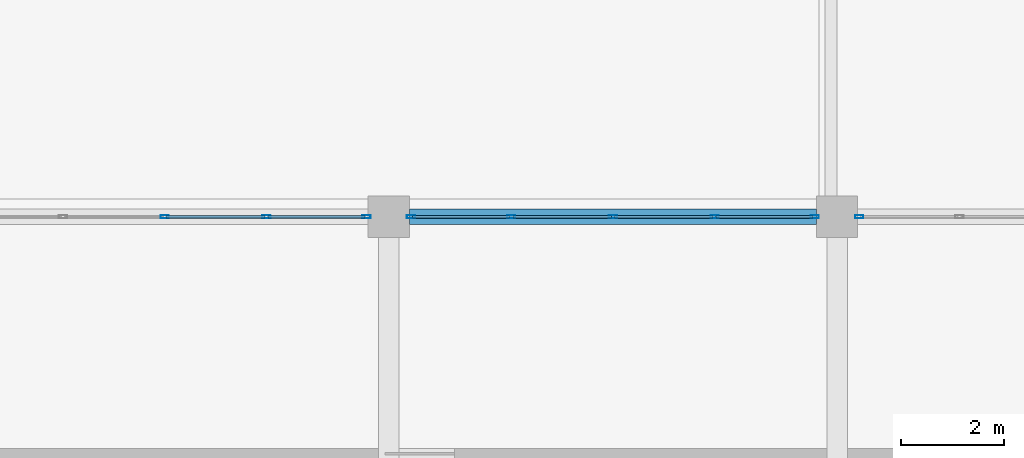
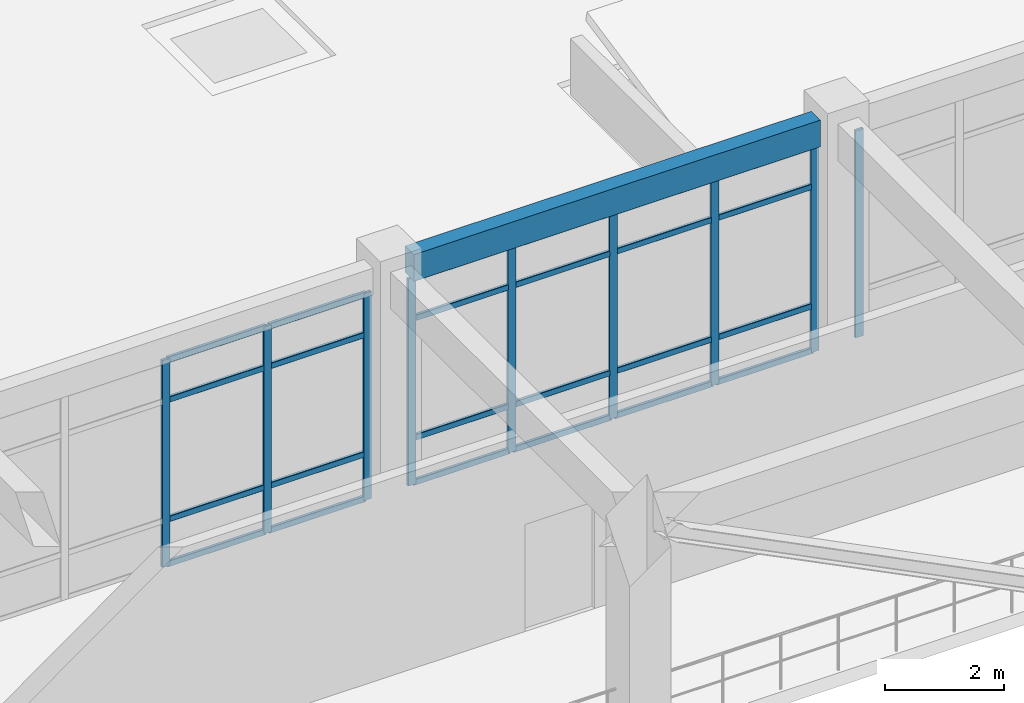
# One storey, part 51 of 124: 33 members, 1 beam, 3 elements without a shape of their own.
"""IFC4 building model written with IfcOpenShell, lengths in metres."""

from ifc_helpers import new_model, si_unit, derived_unit, direction, frame, origin, origin_2d, place, context, subcontext, project, spatial, rectangle, hollow_rectangle, extrude, material, layer, layer_set, material_profile, profile_set, type_object, element, aggregate, save


model = new_model("IFC4")

# Units and contexts
model_context = context("Model", 3, precision=1e-05, world=origin(), true_north=direction((0.0, 1.0)))
body_context = subcontext(model_context, "Body", "Model", "MODEL_VIEW")
ifc_project = project(units=[si_unit("LENGTHUNIT", "METRE"), si_unit("AREAUNIT", "SQUARE_METRE"), si_unit("VOLUMEUNIT", "CUBIC_METRE"), si_unit("PLANEANGLEUNIT", "RADIAN"), si_unit("MASSUNIT", "GRAM", prefix="KILO"), derived_unit("THERMALTRANSMITTANCEUNIT", [(si_unit("MASSUNIT", "GRAM", prefix="KILO"), 1), (si_unit("TIMEUNIT", "SECOND"), -3), (si_unit("THERMODYNAMICTEMPERATUREUNIT", "KELVIN"), -1)])], contexts=[model_context])

# Site, building, storey
site_placement = place(None, origin())
site = spatial("IfcSite", under=ifc_project, at=site_placement, CompositionType="ELEMENT")
building_placement = place(site_placement, origin())
building = spatial("IfcBuilding", under=site, at=building_placement, Name="Qinzheling Arcade Emporium", CompositionType="ELEMENT")
storey_placement = place(building_placement, frame((0.0, 0.0, 16.5)))
storey = spatial("IfcBuildingStorey", under=building, at=storey_placement, Name="L04", CompositionType="ELEMENT", Elevation=16.5)

# Curtain wall, members
ifc_material_1 = material(Name="Anodised aluminium and solar-control double glazing", Category="aluminium")
ifc_layer = layer(ifc_material_1, 0.159912109375, Name="Anodised aluminium and solar-control double glazing", Category="aluminium")
ifc_layer_set = layer_set([ifc_layer], Name="Anodised aluminium and solar-control double glazing")
curtain_wall_type = type_object("IfcCurtainWallType", Name="Atrium Clerestory Curtain Wall", PredefinedType="NOTDEFINED", material=ifc_layer_set)
curtain_wall_1_placement = place(storey_placement, origin())
curtain_wall_1 = element("IfcCurtainWall", 1, at=curtain_wall_1_placement, inside=storey, type_object=curtain_wall_type, Name="Curtain Wall CW-L04-245", PredefinedType="NOTDEFINED")
ifc_material_2 = material(Name="Anodised aluminium 6063-T6", Category="aluminium")
ifc_material_profile_1 = material_profile(ifc_material_2, hollow_rectangle(XDim=0.06005859375, YDim=0.159912109375, WallThickness=0.00390625, InnerFilletRadius=0.00390625, OuterFilletRadius=0.008056640625, at=origin_2d()), Name="RHS 160x60x4", Category="aluminium")
ifc_profile_set_1 = profile_set([ifc_material_profile_1], Name="Anodised aluminium 6063-T6")
member_type_1 = type_object("IfcMemberType", Name="Curtain Wall Mullion RHS160x60", PredefinedType="MULLION", material=ifc_profile_set_1)
member_1_placement = place(storey_placement, frame((65.25, 73.800048828125, 0.0), z_axis=(0.0, 0.0, 1.0), x_axis=(0.0, 1.0, 0.0)))
member_1 = element("IfcMember", 2, at=member_1_placement, type_object=member_type_1, Name="CW03 mullion 3", PredefinedType="MULLION", context=body_context, shape_type="SweptSolid", body=[
    extrude(hollow_rectangle(XDim=0.06005859375, YDim=0.159912109375, WallThickness=0.00390625, InnerFilletRadius=0.00390625, OuterFilletRadius=0.008056640625, at=origin_2d()), origin(), (0.0, 0.0, 1.0), 4.2548828125),
])
member_2_placement = place(storey_placement, frame((67.22412109375, 73.800048828125, 0.0), z_axis=(0.0, 0.0, 1.0), x_axis=(0.0, 1.0, 0.0)))
member_2 = element("IfcMember", 3, at=member_2_placement, type_object=member_type_1, Name="CW03 mullion 4", PredefinedType="MULLION", context=body_context, shape_type="SweptSolid", body=[
    extrude(hollow_rectangle(XDim=0.06005859375, YDim=0.159912109375, WallThickness=0.00390625, InnerFilletRadius=0.00390625, OuterFilletRadius=0.008056640625, at=origin_2d()), origin(), (0.0, 0.0, 1.0), 4.2548828125),
])
member_3_placement = place(storey_placement, frame((69.16796875, 73.800048828125, 0.0), z_axis=(0.0, 0.0, 1.0), x_axis=(0.0, 1.0, 0.0)))
member_3 = element("IfcMember", 4, at=member_3_placement, type_object=member_type_1, Name="CW03 mullion 5", PredefinedType="MULLION", context=body_context, shape_type="SweptSolid", body=[
    extrude(hollow_rectangle(XDim=0.06005859375, YDim=0.159912109375, WallThickness=0.00390625, InnerFilletRadius=0.00390625, OuterFilletRadius=0.008056640625, at=origin_2d()), origin(), (0.0, 0.0, 1.0), 4.2548828125),
])

curtain_wall_2_placement = place(storey_placement, origin())
curtain_wall_2 = element("IfcCurtainWall", 5, at=curtain_wall_2_placement, inside=storey, type_object=curtain_wall_type, Name="Curtain Wall CW-L04-246", PredefinedType="NOTDEFINED")
member_4_placement = place(storey_placement, frame((70.031982421875, 73.800048828125, 0.0), z_axis=(0.0, 0.0, 1.0), x_axis=(0.0, 1.0, 0.0)))
member_4 = element("IfcMember", 6, at=member_4_placement, type_object=member_type_1, Name="CW03 mullion 1", PredefinedType="MULLION", context=body_context, shape_type="SweptSolid", body=[
    extrude(hollow_rectangle(XDim=0.06005859375, YDim=0.159912109375, WallThickness=0.00390625, InnerFilletRadius=0.00390625, OuterFilletRadius=0.008056640625, at=origin_2d()), origin(), (0.0, 0.0, 1.0), 4.2548828125),
])
member_5_placement = place(storey_placement, frame((71.97607421875, 73.800048828125, 0.0), z_axis=(0.0, 0.0, 1.0), x_axis=(0.0, 1.0, 0.0)))
member_5 = element("IfcMember", 7, at=member_5_placement, type_object=member_type_1, Name="CW03 mullion 2", PredefinedType="MULLION", context=body_context, shape_type="SweptSolid", body=[
    extrude(hollow_rectangle(XDim=0.06005859375, YDim=0.159912109375, WallThickness=0.00390625, InnerFilletRadius=0.00390625, OuterFilletRadius=0.008056640625, at=origin_2d()), origin(), (0.0, 0.0, 1.0), 4.2548828125),
])
member_6_placement = place(storey_placement, frame((73.949951171875, 73.800048828125, 0.0), z_axis=(0.0, 0.0, 1.0), x_axis=(0.0, 1.0, 0.0)))
member_6 = element("IfcMember", 8, at=member_6_placement, type_object=member_type_1, Name="CW03 mullion 3", PredefinedType="MULLION", context=body_context, shape_type="SweptSolid", body=[
    extrude(hollow_rectangle(XDim=0.06005859375, YDim=0.159912109375, WallThickness=0.00390625, InnerFilletRadius=0.00390625, OuterFilletRadius=0.008056640625, at=origin_2d()), origin(), (0.0, 0.0, 1.0), 4.2548828125),
])
member_7_placement = place(storey_placement, frame((75.924072265625, 73.800048828125, 0.0), z_axis=(0.0, 0.0, 1.0), x_axis=(0.0, 1.0, 0.0)))
member_7 = element("IfcMember", 9, at=member_7_placement, type_object=member_type_1, Name="CW03 mullion 4", PredefinedType="MULLION", context=body_context, shape_type="SweptSolid", body=[
    extrude(hollow_rectangle(XDim=0.06005859375, YDim=0.159912109375, WallThickness=0.00390625, InnerFilletRadius=0.00390625, OuterFilletRadius=0.008056640625, at=origin_2d()), origin(), (0.0, 0.0, 1.0), 4.2548828125),
])
member_8_placement = place(storey_placement, frame((77.867919921875, 73.800048828125, 0.0), z_axis=(0.0, 0.0, 1.0), x_axis=(0.0, 1.0, 0.0)))
member_8 = element("IfcMember", 10, at=member_8_placement, type_object=member_type_1, Name="CW03 mullion 5", PredefinedType="MULLION", context=body_context, shape_type="SweptSolid", body=[
    extrude(hollow_rectangle(XDim=0.06005859375, YDim=0.159912109375, WallThickness=0.00390625, InnerFilletRadius=0.00390625, OuterFilletRadius=0.008056640625, at=origin_2d()), origin(), (0.0, 0.0, 1.0), 4.2548828125),
])

# Curtain wall, member
curtain_wall_3_placement = place(storey_placement, origin())
curtain_wall_3 = element("IfcCurtainWall", 11, at=curtain_wall_3_placement, inside=storey, type_object=curtain_wall_type, Name="Curtain Wall CW-L04-247", PredefinedType="NOTDEFINED")
member_9_placement = place(storey_placement, frame((78.73193359375, 73.800048828125, 0.0), z_axis=(0.0, 0.0, 1.0), x_axis=(0.0, 1.0, 0.0)))
member_9 = element("IfcMember", 12, at=member_9_placement, type_object=member_type_1, Name="CW03 mullion 1", PredefinedType="MULLION", context=body_context, shape_type="SweptSolid", body=[
    extrude(hollow_rectangle(XDim=0.06005859375, YDim=0.159912109375, WallThickness=0.00390625, InnerFilletRadius=0.00390625, OuterFilletRadius=0.008056640625, at=origin_2d()), origin(), (0.0, 0.0, 1.0), 4.2548828125),
])
aggregate(curtain_wall_3, [member_9])

# Member
ifc_material_profile_2 = material_profile(ifc_material_2, hollow_rectangle(XDim=0.06005859375, YDim=0.1201171875, WallThickness=0.00390625, InnerFilletRadius=0.00390625, OuterFilletRadius=0.008056640625, at=origin_2d()), Name="RHS 120x60x4", Category="aluminium")
ifc_profile_set_2 = profile_set([ifc_material_profile_2], Name="Anodised aluminium 6063-T6")
member_type_2 = type_object("IfcMemberType", Name="Curtain Wall Transom RHS120x60", PredefinedType="USERDEFINED", material=ifc_profile_set_2)
member_10_placement = place(storey_placement, frame((65.280029296875, 73.800048828125, 0.030029296875), z_axis=(1.0, 0.0, 0.0), x_axis=(0.0, 1.0, 0.0)))
member_10 = element("IfcMember", 13, at=member_10_placement, type_object=member_type_2, Name="CW03 transom 3.1", ObjectType="TRANSOM", PredefinedType="USERDEFINED", context=body_context, shape_type="SweptSolid", body=[
    extrude(hollow_rectangle(XDim=0.06005859375, YDim=0.1201171875, WallThickness=0.00390625, InnerFilletRadius=0.00390625, OuterFilletRadius=0.008056640625, at=origin_2d()), origin(), (0.0, 0.0, 1.0), 1.9140625),
])

member_11_placement = place(storey_placement, frame((65.280029296875, 73.800048828125, 0.949951171875), z_axis=(1.0, 0.0, 0.0), x_axis=(0.0, 1.0, 0.0)))
member_11 = element("IfcMember", 14, at=member_11_placement, type_object=member_type_2, Name="CW03 transom 3.2", ObjectType="TRANSOM", PredefinedType="USERDEFINED", context=body_context, shape_type="SweptSolid", body=[
    extrude(hollow_rectangle(XDim=0.06005859375, YDim=0.1201171875, WallThickness=0.00390625, InnerFilletRadius=0.00390625, OuterFilletRadius=0.008056640625, at=origin_2d()), origin(), (0.0, 0.0, 1.0), 1.9140625),
])

member_12_placement = place(storey_placement, frame((65.280029296875, 73.800048828125, 3.405029296875), z_axis=(1.0, 0.0, 0.0), x_axis=(0.0, 1.0, 0.0)))
member_12 = element("IfcMember", 15, at=member_12_placement, type_object=member_type_2, Name="CW03 transom 3.3", ObjectType="TRANSOM", PredefinedType="USERDEFINED", context=body_context, shape_type="SweptSolid", body=[
    extrude(hollow_rectangle(XDim=0.06005859375, YDim=0.1201171875, WallThickness=0.00390625, InnerFilletRadius=0.00390625, OuterFilletRadius=0.008056640625, at=origin_2d()), origin(), (0.0, 0.0, 1.0), 1.9140625),
])

member_13_placement = place(storey_placement, frame((65.280029296875, 73.800048828125, 4.22509765625), z_axis=(1.0, 0.0, 0.0), x_axis=(0.0, 1.0, 0.0)))
member_13 = element("IfcMember", 16, at=member_13_placement, type_object=member_type_2, Name="CW03 transom 3.4", ObjectType="TRANSOM", PredefinedType="USERDEFINED", context=body_context, shape_type="SweptSolid", body=[
    extrude(hollow_rectangle(XDim=0.06005859375, YDim=0.1201171875, WallThickness=0.00390625, InnerFilletRadius=0.00390625, OuterFilletRadius=0.008056640625, at=origin_2d()), origin(), (0.0, 0.0, 1.0), 1.9140625),
])

member_14_placement = place(storey_placement, frame((67.25390625, 73.800048828125, 0.030029296875), z_axis=(1.0, 0.0, 0.0), x_axis=(0.0, 1.0, 0.0)))
member_14 = element("IfcMember", 17, at=member_14_placement, type_object=member_type_2, Name="CW03 transom 4.1", ObjectType="TRANSOM", PredefinedType="USERDEFINED", context=body_context, shape_type="SweptSolid", body=[
    extrude(hollow_rectangle(XDim=0.06005859375, YDim=0.1201171875, WallThickness=0.00390625, InnerFilletRadius=0.00390625, OuterFilletRadius=0.008056640625, at=origin_2d()), origin(), (0.0, 0.0, 1.0), 1.884033203125),
])

member_15_placement = place(storey_placement, frame((67.25390625, 73.800048828125, 0.949951171875), z_axis=(1.0, 0.0, 0.0), x_axis=(0.0, 1.0, 0.0)))
member_15 = element("IfcMember", 18, at=member_15_placement, type_object=member_type_2, Name="CW03 transom 4.2", ObjectType="TRANSOM", PredefinedType="USERDEFINED", context=body_context, shape_type="SweptSolid", body=[
    extrude(hollow_rectangle(XDim=0.06005859375, YDim=0.1201171875, WallThickness=0.00390625, InnerFilletRadius=0.00390625, OuterFilletRadius=0.008056640625, at=origin_2d()), origin(), (0.0, 0.0, 1.0), 1.884033203125),
])

member_16_placement = place(storey_placement, frame((67.25390625, 73.800048828125, 3.405029296875), z_axis=(1.0, 0.0, 0.0), x_axis=(0.0, 1.0, 0.0)))
member_16 = element("IfcMember", 19, at=member_16_placement, type_object=member_type_2, Name="CW03 transom 4.3", ObjectType="TRANSOM", PredefinedType="USERDEFINED", context=body_context, shape_type="SweptSolid", body=[
    extrude(hollow_rectangle(XDim=0.06005859375, YDim=0.1201171875, WallThickness=0.00390625, InnerFilletRadius=0.00390625, OuterFilletRadius=0.008056640625, at=origin_2d()), origin(), (0.0, 0.0, 1.0), 1.884033203125),
])

member_17_placement = place(storey_placement, frame((67.25390625, 73.800048828125, 4.22509765625), z_axis=(1.0, 0.0, 0.0), x_axis=(0.0, 1.0, 0.0)))
member_17 = element("IfcMember", 20, at=member_17_placement, type_object=member_type_2, Name="CW03 transom 4.4", ObjectType="TRANSOM", PredefinedType="USERDEFINED", context=body_context, shape_type="SweptSolid", body=[
    extrude(hollow_rectangle(XDim=0.06005859375, YDim=0.1201171875, WallThickness=0.00390625, InnerFilletRadius=0.00390625, OuterFilletRadius=0.008056640625, at=origin_2d()), origin(), (0.0, 0.0, 1.0), 1.884033203125),
])

aggregate(curtain_wall_1, [member_1, member_2, member_3, member_10, member_11, member_12, member_13, member_14, member_15, member_16, member_17])

member_18_placement = place(storey_placement, frame((70.06201171875, 73.800048828125, 0.030029296875), z_axis=(1.0, 0.0, 0.0), x_axis=(0.0, 1.0, 0.0)))
member_18 = element("IfcMember", 21, at=member_18_placement, type_object=member_type_2, Name="CW03 transom 1.1", ObjectType="TRANSOM", PredefinedType="USERDEFINED", context=body_context, shape_type="SweptSolid", body=[
    extrude(hollow_rectangle(XDim=0.06005859375, YDim=0.1201171875, WallThickness=0.00390625, InnerFilletRadius=0.00390625, OuterFilletRadius=0.008056640625, at=origin_2d()), origin(), (0.0, 0.0, 1.0), 1.884033203125),
])

member_19_placement = place(storey_placement, frame((70.06201171875, 73.800048828125, 0.949951171875), z_axis=(1.0, 0.0, 0.0), x_axis=(0.0, 1.0, 0.0)))
member_19 = element("IfcMember", 22, at=member_19_placement, type_object=member_type_2, Name="CW03 transom 1.2", ObjectType="TRANSOM", PredefinedType="USERDEFINED", context=body_context, shape_type="SweptSolid", body=[
    extrude(hollow_rectangle(XDim=0.06005859375, YDim=0.1201171875, WallThickness=0.00390625, InnerFilletRadius=0.00390625, OuterFilletRadius=0.008056640625, at=origin_2d()), origin(), (0.0, 0.0, 1.0), 1.884033203125),
])

member_20_placement = place(storey_placement, frame((70.06201171875, 73.800048828125, 3.405029296875), z_axis=(1.0, 0.0, 0.0), x_axis=(0.0, 1.0, 0.0)))
member_20 = element("IfcMember", 23, at=member_20_placement, type_object=member_type_2, Name="CW03 transom 1.3", ObjectType="TRANSOM", PredefinedType="USERDEFINED", context=body_context, shape_type="SweptSolid", body=[
    extrude(hollow_rectangle(XDim=0.06005859375, YDim=0.1201171875, WallThickness=0.00390625, InnerFilletRadius=0.00390625, OuterFilletRadius=0.008056640625, at=origin_2d()), origin(), (0.0, 0.0, 1.0), 1.884033203125),
])

member_21_placement = place(storey_placement, frame((70.06201171875, 73.800048828125, 4.22509765625), z_axis=(1.0, 0.0, 0.0), x_axis=(0.0, 1.0, 0.0)))
member_21 = element("IfcMember", 24, at=member_21_placement, type_object=member_type_2, Name="CW03 transom 1.4", ObjectType="TRANSOM", PredefinedType="USERDEFINED", context=body_context, shape_type="SweptSolid", body=[
    extrude(hollow_rectangle(XDim=0.06005859375, YDim=0.1201171875, WallThickness=0.00390625, InnerFilletRadius=0.00390625, OuterFilletRadius=0.008056640625, at=origin_2d()), origin(), (0.0, 0.0, 1.0), 1.884033203125),
])

member_22_placement = place(storey_placement, frame((72.006103515625, 73.800048828125, 0.030029296875), z_axis=(1.0, 0.0, 0.0), x_axis=(0.0, 1.0, 0.0)))
member_22 = element("IfcMember", 25, at=member_22_placement, type_object=member_type_2, Name="CW03 transom 2.1", ObjectType="TRANSOM", PredefinedType="USERDEFINED", context=body_context, shape_type="SweptSolid", body=[
    extrude(hollow_rectangle(XDim=0.06005859375, YDim=0.1201171875, WallThickness=0.00390625, InnerFilletRadius=0.00390625, OuterFilletRadius=0.008056640625, at=origin_2d()), origin(), (0.0, 0.0, 1.0), 1.913818359375),
])

member_23_placement = place(storey_placement, frame((72.006103515625, 73.800048828125, 0.949951171875), z_axis=(1.0, 0.0, 0.0), x_axis=(0.0, 1.0, 0.0)))
member_23 = element("IfcMember", 26, at=member_23_placement, type_object=member_type_2, Name="CW03 transom 2.2", ObjectType="TRANSOM", PredefinedType="USERDEFINED", context=body_context, shape_type="SweptSolid", body=[
    extrude(hollow_rectangle(XDim=0.06005859375, YDim=0.1201171875, WallThickness=0.00390625, InnerFilletRadius=0.00390625, OuterFilletRadius=0.008056640625, at=origin_2d()), origin(), (0.0, 0.0, 1.0), 1.913818359375),
])

member_24_placement = place(storey_placement, frame((72.006103515625, 73.800048828125, 3.405029296875), z_axis=(1.0, 0.0, 0.0), x_axis=(0.0, 1.0, 0.0)))
member_24 = element("IfcMember", 27, at=member_24_placement, type_object=member_type_2, Name="CW03 transom 2.3", ObjectType="TRANSOM", PredefinedType="USERDEFINED", context=body_context, shape_type="SweptSolid", body=[
    extrude(hollow_rectangle(XDim=0.06005859375, YDim=0.1201171875, WallThickness=0.00390625, InnerFilletRadius=0.00390625, OuterFilletRadius=0.008056640625, at=origin_2d()), origin(), (0.0, 0.0, 1.0), 1.913818359375),
])

member_25_placement = place(storey_placement, frame((72.006103515625, 73.800048828125, 4.22509765625), z_axis=(1.0, 0.0, 0.0), x_axis=(0.0, 1.0, 0.0)))
member_25 = element("IfcMember", 28, at=member_25_placement, type_object=member_type_2, Name="CW03 transom 2.4", ObjectType="TRANSOM", PredefinedType="USERDEFINED", context=body_context, shape_type="SweptSolid", body=[
    extrude(hollow_rectangle(XDim=0.06005859375, YDim=0.1201171875, WallThickness=0.00390625, InnerFilletRadius=0.00390625, OuterFilletRadius=0.008056640625, at=origin_2d()), origin(), (0.0, 0.0, 1.0), 1.913818359375),
])

member_26_placement = place(storey_placement, frame((73.97998046875, 73.800048828125, 0.030029296875), z_axis=(1.0, 0.0, 0.0), x_axis=(0.0, 1.0, 0.0)))
member_26 = element("IfcMember", 29, at=member_26_placement, type_object=member_type_2, Name="CW03 transom 3.1", ObjectType="TRANSOM", PredefinedType="USERDEFINED", context=body_context, shape_type="SweptSolid", body=[
    extrude(hollow_rectangle(XDim=0.06005859375, YDim=0.1201171875, WallThickness=0.00390625, InnerFilletRadius=0.00390625, OuterFilletRadius=0.008056640625, at=origin_2d()), origin(), (0.0, 0.0, 1.0), 1.9140625),
])

member_27_placement = place(storey_placement, frame((73.97998046875, 73.800048828125, 0.949951171875), z_axis=(1.0, 0.0, 0.0), x_axis=(0.0, 1.0, 0.0)))
member_27 = element("IfcMember", 30, at=member_27_placement, type_object=member_type_2, Name="CW03 transom 3.2", ObjectType="TRANSOM", PredefinedType="USERDEFINED", context=body_context, shape_type="SweptSolid", body=[
    extrude(hollow_rectangle(XDim=0.06005859375, YDim=0.1201171875, WallThickness=0.00390625, InnerFilletRadius=0.00390625, OuterFilletRadius=0.008056640625, at=origin_2d()), origin(), (0.0, 0.0, 1.0), 1.9140625),
])

member_28_placement = place(storey_placement, frame((73.97998046875, 73.800048828125, 3.405029296875), z_axis=(1.0, 0.0, 0.0), x_axis=(0.0, 1.0, 0.0)))
member_28 = element("IfcMember", 31, at=member_28_placement, type_object=member_type_2, Name="CW03 transom 3.3", ObjectType="TRANSOM", PredefinedType="USERDEFINED", context=body_context, shape_type="SweptSolid", body=[
    extrude(hollow_rectangle(XDim=0.06005859375, YDim=0.1201171875, WallThickness=0.00390625, InnerFilletRadius=0.00390625, OuterFilletRadius=0.008056640625, at=origin_2d()), origin(), (0.0, 0.0, 1.0), 1.9140625),
])

member_29_placement = place(storey_placement, frame((73.97998046875, 73.800048828125, 4.22509765625), z_axis=(1.0, 0.0, 0.0), x_axis=(0.0, 1.0, 0.0)))
member_29 = element("IfcMember", 32, at=member_29_placement, type_object=member_type_2, Name="CW03 transom 3.4", ObjectType="TRANSOM", PredefinedType="USERDEFINED", context=body_context, shape_type="SweptSolid", body=[
    extrude(hollow_rectangle(XDim=0.06005859375, YDim=0.1201171875, WallThickness=0.00390625, InnerFilletRadius=0.00390625, OuterFilletRadius=0.008056640625, at=origin_2d()), origin(), (0.0, 0.0, 1.0), 1.9140625),
])

member_30_placement = place(storey_placement, frame((75.9541015625, 73.800048828125, 0.030029296875), z_axis=(1.0, 0.0, 0.0), x_axis=(0.0, 1.0, 0.0)))
member_30 = element("IfcMember", 33, at=member_30_placement, type_object=member_type_2, Name="CW03 transom 4.1", ObjectType="TRANSOM", PredefinedType="USERDEFINED", context=body_context, shape_type="SweptSolid", body=[
    extrude(hollow_rectangle(XDim=0.06005859375, YDim=0.1201171875, WallThickness=0.00390625, InnerFilletRadius=0.00390625, OuterFilletRadius=0.008056640625, at=origin_2d()), origin(), (0.0, 0.0, 1.0), 1.8837890625),
])

member_31_placement = place(storey_placement, frame((75.9541015625, 73.800048828125, 0.949951171875), z_axis=(1.0, 0.0, 0.0), x_axis=(0.0, 1.0, 0.0)))
member_31 = element("IfcMember", 34, at=member_31_placement, type_object=member_type_2, Name="CW03 transom 4.2", ObjectType="TRANSOM", PredefinedType="USERDEFINED", context=body_context, shape_type="SweptSolid", body=[
    extrude(hollow_rectangle(XDim=0.06005859375, YDim=0.1201171875, WallThickness=0.00390625, InnerFilletRadius=0.00390625, OuterFilletRadius=0.008056640625, at=origin_2d()), origin(), (0.0, 0.0, 1.0), 1.8837890625),
])

member_32_placement = place(storey_placement, frame((75.9541015625, 73.800048828125, 3.405029296875), z_axis=(1.0, 0.0, 0.0), x_axis=(0.0, 1.0, 0.0)))
member_32 = element("IfcMember", 35, at=member_32_placement, type_object=member_type_2, Name="CW03 transom 4.3", ObjectType="TRANSOM", PredefinedType="USERDEFINED", context=body_context, shape_type="SweptSolid", body=[
    extrude(hollow_rectangle(XDim=0.06005859375, YDim=0.1201171875, WallThickness=0.00390625, InnerFilletRadius=0.00390625, OuterFilletRadius=0.008056640625, at=origin_2d()), origin(), (0.0, 0.0, 1.0), 1.8837890625),
])

member_33_placement = place(storey_placement, frame((75.9541015625, 73.800048828125, 4.22509765625), z_axis=(1.0, 0.0, 0.0), x_axis=(0.0, 1.0, 0.0)))
member_33 = element("IfcMember", 36, at=member_33_placement, type_object=member_type_2, Name="CW03 transom 4.4", ObjectType="TRANSOM", PredefinedType="USERDEFINED", context=body_context, shape_type="SweptSolid", body=[
    extrude(hollow_rectangle(XDim=0.06005859375, YDim=0.1201171875, WallThickness=0.00390625, InnerFilletRadius=0.00390625, OuterFilletRadius=0.008056640625, at=origin_2d()), origin(), (0.0, 0.0, 1.0), 1.8837890625),
])

aggregate(curtain_wall_2, [member_4, member_5, member_6, member_7, member_8, member_18, member_19, member_20, member_21, member_22, member_23, member_24, member_25, member_26, member_27, member_28, member_29, member_30, member_31, member_32, member_33])

# Beam
ifc_material_3 = material(Name="Concrete C40", Category="concrete")
ifc_material_profile_3 = material_profile(ifc_material_3, rectangle(XDim=0.300048828125, YDim=0.550048828125, at=origin_2d()), Name="RC 300x550", Category="concrete")
ifc_profile_set_3 = profile_set([ifc_material_profile_3], Name="Concrete C40")
beam_type = type_object("IfcBeamType", Name="RC Terrace Spandrel Beam 300x550 C40", PredefinedType="SPANDREL", material=ifc_profile_set_3)
beam_placement = place(storey_placement, frame((70.0, 73.800048828125, 4.544921875), z_axis=(1.0, 0.0, 0.0), x_axis=(0.0, 1.0, 0.0)))
element("IfcBeam", 37, at=beam_placement, inside=storey, type_object=beam_type, Name="Beam BM-L04-X-J-9", PredefinedType="SPANDREL", context=body_context, shape_type="SweptSolid", body=[
    extrude(rectangle(XDim=0.300048828125, YDim=0.550048828125, at=origin_2d()), origin(), (0.0, 0.0, 1.0), 7.89990234375),
])

save(model, "model.ifc")
